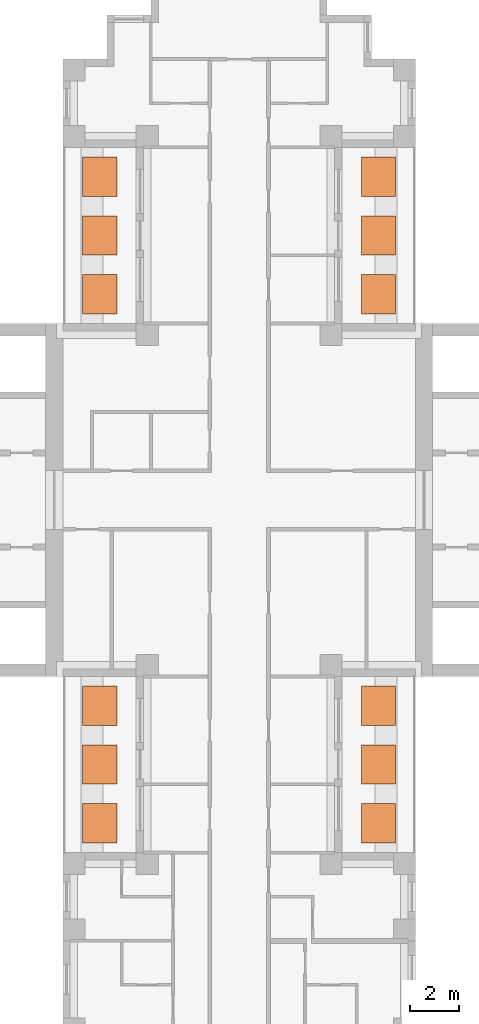
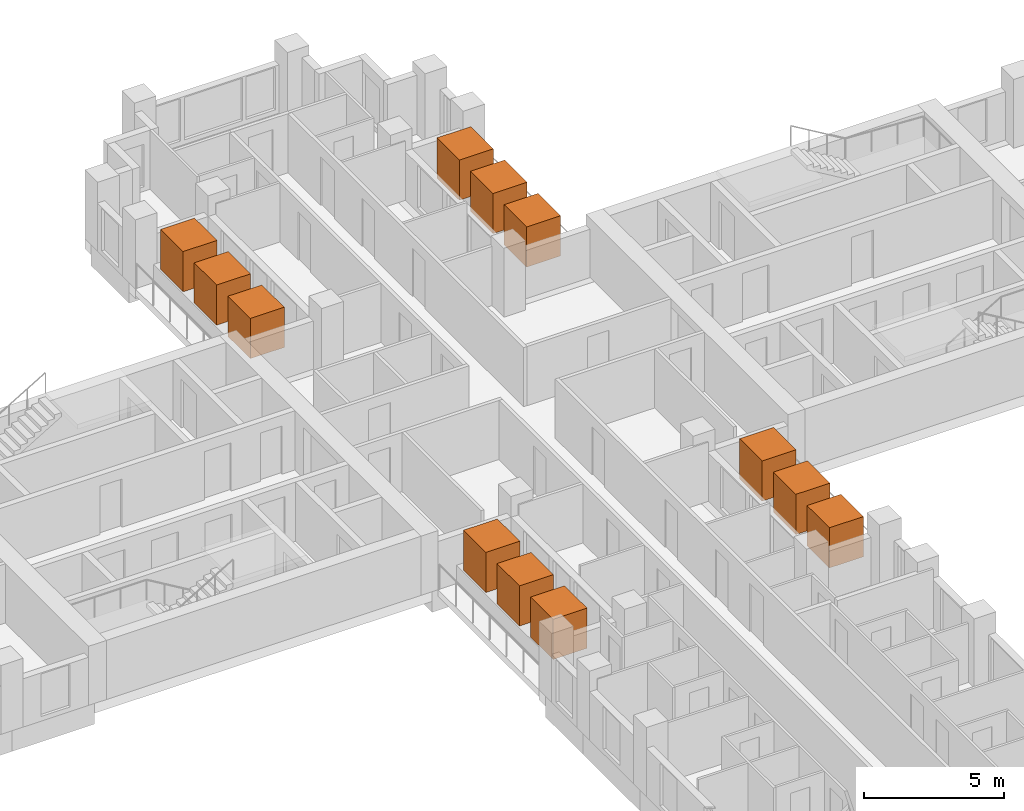
# One storey, part 14 of 14: 12 geographic elements.
"""IFC4 building model written with IfcOpenShell, lengths in metres."""

import ifcopenshell
import ifcopenshell.guid

model = None  # the IFC model being written
_history = None  # IfcOwnerHistory: only IFC2X3 demands one
_inside = {}  # id of a spatial element -> (the spatial element, [elements in it])
_under = {}  # id of a project, library or spatial element -> (it, [spatial elements below it])
_declared = {}  # id of a project -> (the project, [libraries it declares])
_typed = {}  # id of a type object -> (the type object, [elements of that type])
_made_of = {}  # id of a material, layer set ... -> (it, [elements and type objects made of it])


def new_model(schema):
    """Start an empty IFC model of exactly this schema.

    Asked for "IFC4X3", IfcOpenShell would pick the latest addendum, in which some entities
    have other attributes; the version numbers below select the first issue.
    IFC2X3 requires an IfcOwnerHistory on every rooted entity: one is made here for all.
    """
    global model, _history
    if schema == "IFC4X3":
        model = ifcopenshell.file(schema_version=(4, 3, 0, 0))
    else:
        model = ifcopenshell.file(schema=schema)
    _inside.clear()
    _under.clear()
    _declared.clear()
    _typed.clear()
    _made_of.clear()
    _history = None
    if model.schema == "IFC2X3":
        org = make("IfcOrganization", Name="unknown")
        user = make(
            "IfcPersonAndOrganization",
            ThePerson=make("IfcPerson", FamilyName="unknown"),
            TheOrganization=org,
        )
        app = make(
            "IfcApplication",
            ApplicationDeveloper=org,
            Version="unknown",
            ApplicationFullName="unknown",
            ApplicationIdentifier="unknown",
        )
        _history = make(
            "IfcOwnerHistory",
            OwningUser=user,
            OwningApplication=app,
            ChangeAction="ADDED",
            CreationDate=0,
        )
    return model


def make(cls, **values):
    """One entity of the class cls with the attributes given. An attribute that is None is left unset."""
    return model.create_entity(
        cls, **{name: value for name, value in values.items() if value is not None}
    )


def rooted(cls, **values):
    """An entity with a GlobalId (a new one), such as an element, a storey or a relation."""
    return make(cls, GlobalId=ifcopenshell.guid.new(), OwnerHistory=_history, **values)


def si_unit(unit_type, name, prefix=None):
    """IfcSIUnit, for example si_unit("LENGTHUNIT", "METRE", prefix="MILLI")."""
    return make("IfcSIUnit", UnitType=unit_type, Prefix=prefix, Name=name)


def assignment(units):
    """IfcUnitAssignment: the units of a project."""
    return None if units is None else make("IfcUnitAssignment", Units=units)


def point(xyz):
    """IfcCartesianPoint."""
    return None if xyz is None else make("IfcCartesianPoint", Coordinates=xyz)


def direction(xyz):
    """IfcDirection."""
    return None if xyz is None else make("IfcDirection", DirectionRatios=xyz)


def frame(location, z_axis=None, x_axis=None):
    """IfcAxis2Placement3D, a coordinate frame: its origin and axes. An axis left out is left unset."""
    return make(
        "IfcAxis2Placement3D",
        Location=point(location),
        Axis=direction(z_axis),
        RefDirection=direction(x_axis),
    )


def frame_2d(location, x_axis=None):
    """IfcAxis2Placement2D, a coordinate frame in the plane: its origin and x axis."""
    return make(
        "IfcAxis2Placement2D", Location=point(location), RefDirection=direction(x_axis)
    )


def origin():
    """The frame at (0, 0, 0) with its axes left unset."""
    return frame((0.0, 0.0, 0.0))


def origin_2d():
    """The frame at (0, 0) in the plane with its x axis left unset."""
    return frame_2d((0.0, 0.0))


def place(relative_to, where):
    """IfcLocalPlacement: puts the frame where relative to a parent placement (None: the world)."""
    return make(
        "IfcLocalPlacement", PlacementRelTo=relative_to, RelativePlacement=where
    )


def context(
    kind, dimensions, precision=None, world=None, true_north=None, identifier=None
):
    """IfcGeometricRepresentationContext, for example the 3D "Model" context."""
    return make(
        "IfcGeometricRepresentationContext",
        ContextIdentifier=identifier,
        ContextType=kind,
        CoordinateSpaceDimension=dimensions,
        Precision=precision,
        WorldCoordinateSystem=world,
        TrueNorth=true_north,
    )


def subcontext(parent, identifier, kind, view, scale=None):
    """IfcGeometricRepresentationSubContext, for example "Body" below "Model"."""
    return make(
        "IfcGeometricRepresentationSubContext",
        ContextIdentifier=identifier,
        ContextType=kind,
        ParentContext=parent,
        TargetScale=scale,
        TargetView=view,
    )


def project(units=None, contexts=None):
    """IfcProject with its units and contexts."""
    return rooted(
        "IfcProject",
        Name="project",
        RepresentationContexts=contexts,
        UnitsInContext=assignment(units),
    )


def spatial(cls, under=None, at=None, **own):
    """A site, building, storey or space (cls), placed at a placement, below another one or the project."""
    s = rooted(cls, ObjectPlacement=at, **own)
    if under is not None:
        _under.setdefault(under.id(), (under, []))[1].append(s)
    return s


def profile(cls, at=None, kind="AREA", **sizes):
    """A parametric profile (cls). Its sizes go by their IFC names, for example OverallWidth=200.0."""
    return make(cls, ProfileType=kind, Position=at, **sizes)


def rectangle(**sizes):
    """IfcRectangleProfileDef."""
    return profile("IfcRectangleProfileDef", **sizes)


def extrude(swept, where, along, depth):
    """IfcExtrudedAreaSolid: the profile swept, set in the frame where, extruded along a direction by depth."""
    return make(
        "IfcExtrudedAreaSolid",
        SweptArea=swept,
        Position=where,
        ExtrudedDirection=direction(along),
        Depth=depth,
    )


def shape(context_of_items, identifier, shape_type, items):
    """IfcShapeRepresentation: the items that make up one representation, for example the "Body"."""
    return make(
        "IfcShapeRepresentation",
        ContextOfItems=context_of_items,
        RepresentationIdentifier=identifier,
        RepresentationType=shape_type,
        Items=items,
    )


def material(Name=None, Category=None):
    """IfcMaterial."""
    return make("IfcMaterial", Name=Name, Category=Category)


def made_of(thing, what):
    """Note that an element or type object is made of a material, layer set ...; save() writes the relation."""
    if what is not None:
        _made_of.setdefault(what.id(), (what, []))[1].append(thing)
    return thing


def element(
    cls,
    number,
    at=None,
    inside=None,
    cuts=None,
    type_object=None,
    material=None,
    context=None,
    identifier="Body",
    shape_type=None,
    held_by="IfcProductDefinitionShape",
    body=None,
    shapes=None,
    **own,
):
    """One element of the class cls, such as IfcWall. Its Tag is "e" and its number.

    at: its placement. inside: the storey or other place that contains it. cuts: it is an
    opening in that element (IfcRelVoidsElement). A single representation is given by context,
    identifier, shape_type and body (its items); several are given by shapes. held_by: the class
    of the entity that holds the representations. save() writes the other relations.
    """
    e = rooted(cls, Tag="e%d" % number, ObjectPlacement=at, **own)
    if body is not None:
        shapes = [shape(context, identifier, shape_type, body)]
    if shapes is not None:
        e.Representation = make(held_by, Representations=shapes)
    if inside is not None:
        _inside.setdefault(inside.id(), (inside, []))[1].append(e)
    if cuts is not None:
        rooted(
            "IfcRelVoidsElement", RelatingBuildingElement=cuts, RelatedOpeningElement=e
        )
    if type_object is not None:
        _typed.setdefault(type_object.id(), (type_object, []))[1].append(e)
    return made_of(e, material)


def aggregate(whole, parts):
    """IfcRelAggregates: a whole, such as a stair, and the parts it consists of."""
    return rooted("IfcRelAggregates", RelatingObject=whole, RelatedObjects=parts)


def save(model, path):
    """Write the relations noted so far, then the file.

    IfcRelAggregates (storeys below a building ...), IfcRelContainedInSpatialStructure (elements
    in a storey), IfcRelDefinesByType, IfcRelAssociatesMaterial and IfcRelDeclares: one each for
    every whole, place, type object, material and project.
    """
    for whole, parts in _under.values():
        aggregate(whole, parts)
    for where, things in _inside.values():
        rooted(
            "IfcRelContainedInSpatialStructure",
            RelatedElements=things,
            RelatingStructure=where,
        )
    for kind, things in _typed.values():
        rooted("IfcRelDefinesByType", RelatedObjects=things, RelatingType=kind)
    for what, things in _made_of.values():
        rooted("IfcRelAssociatesMaterial", RelatedObjects=things, RelatingMaterial=what)
    for by, libraries in _declared.values():
        rooted("IfcRelDeclares", RelatingContext=by, RelatedDefinitions=libraries)
    model.write(path)


model = new_model("IFC4")

# Units and contexts
model_context = context("Model", 3, precision=1e-05, world=origin(), true_north=direction((0.0, 1.0)))
body_context = subcontext(model_context, "Body", "Model", "MODEL_VIEW")
ifc_project = project(units=[si_unit("LENGTHUNIT", "METRE"), si_unit("AREAUNIT", "SQUARE_METRE"), si_unit("VOLUMEUNIT", "CUBIC_METRE"), si_unit("PLANEANGLEUNIT", "RADIAN"), si_unit("MASSUNIT", "GRAM", prefix="KILO")], contexts=[model_context])

# Site, building, storey
site_placement = place(None, origin())
site = spatial("IfcSite", under=ifc_project, at=site_placement, CompositionType="ELEMENT")
building_placement = place(site_placement, origin())
building = spatial("IfcBuilding", under=site, at=building_placement, Name="Fustian Cross Tower", CompositionType="ELEMENT")
storey_placement = place(building_placement, frame((0.0, 0.0, 69.89990234375)))
storey = spatial("IfcBuildingStorey", under=building, at=storey_placement, Name="L21", CompositionType="ELEMENT", Elevation=69.89990234375)

# Geographic elements
ifc_material = material(Name="Evergreen foliage")
for number, where, z_axis, x_axis, name in (
    (1, (5.68994140625, 8.39990234375, 0.800048828125), (0.0, 0.0, 1.0), (1.0, 0.0, 0.0), "TREE field maple"),
    (2, (5.68994140625, 10.800048828125, 0.800048828125), (0.0, 0.0, 1.0), (1.0, 0.0, 0.0), "TREE field maple"),
    (3, (5.68994140625, 13.199951171875, 0.800048828125), (0.0, 0.0, 1.0), (1.0, 0.0, 0.0), "TREE field maple"),
    (4, (-5.68994140625, 8.39990234375, 0.800048828125), (0.0, 0.0, 1.0), (1.0, 0.0, 0.0), "TREE field maple"),
    (5, (-5.68994140625, 10.800048828125, 0.800048828125), (0.0, 0.0, 1.0), (1.0, 0.0, 0.0), "TREE field maple"),
    (6, (-5.68994140625, 13.199951171875, 0.800048828125), (0.0, 0.0, 1.0), (1.0, 0.0, 0.0), "TREE field maple"),
    (7, (5.68994140625, -13.199951171875, 0.800048828125), (0.0, 0.0, 1.0), (1.0, 0.0, 0.0), "TREE field maple"),
    (8, (5.68994140625, -10.800048828125, 0.800048828125), (0.0, 0.0, 1.0), (1.0, 0.0, 0.0), "TREE field maple"),
    (9, (5.68994140625, -8.39990234375, 0.800048828125), (0.0, 0.0, 1.0), (1.0, 0.0, 0.0), "TREE field maple"),
    (10, (-5.68994140625, -13.199951171875, 0.800048828125), (0.0, 0.0, 1.0), (1.0, 0.0, 0.0), "TREE field maple"),
    (11, (-5.68994140625, -10.800048828125, 0.800048828125), (0.0, 0.0, 1.0), (1.0, 0.0, 0.0), "TREE field maple"),
    (12, (-5.68994140625, -8.39990234375, 0.800048828125), (0.0, 0.0, 1.0), (1.0, 0.0, 0.0), "TREE field maple"),
):
    element("IfcGeographicElement", number, at=place(storey_placement, frame(where, z_axis=z_axis, x_axis=x_axis)), inside=storey, material=ifc_material, Name=name, ObjectType="VEGETATION", PredefinedType="USERDEFINED", context=body_context, shape_type="SweptSolid", body=[
        extrude(rectangle(XDim=1.39990234375, YDim=1.60009765625, at=origin_2d()), origin(), (0.0, 0.0, 1.0), 1.75),
    ])

save(model, "model.ifc")
